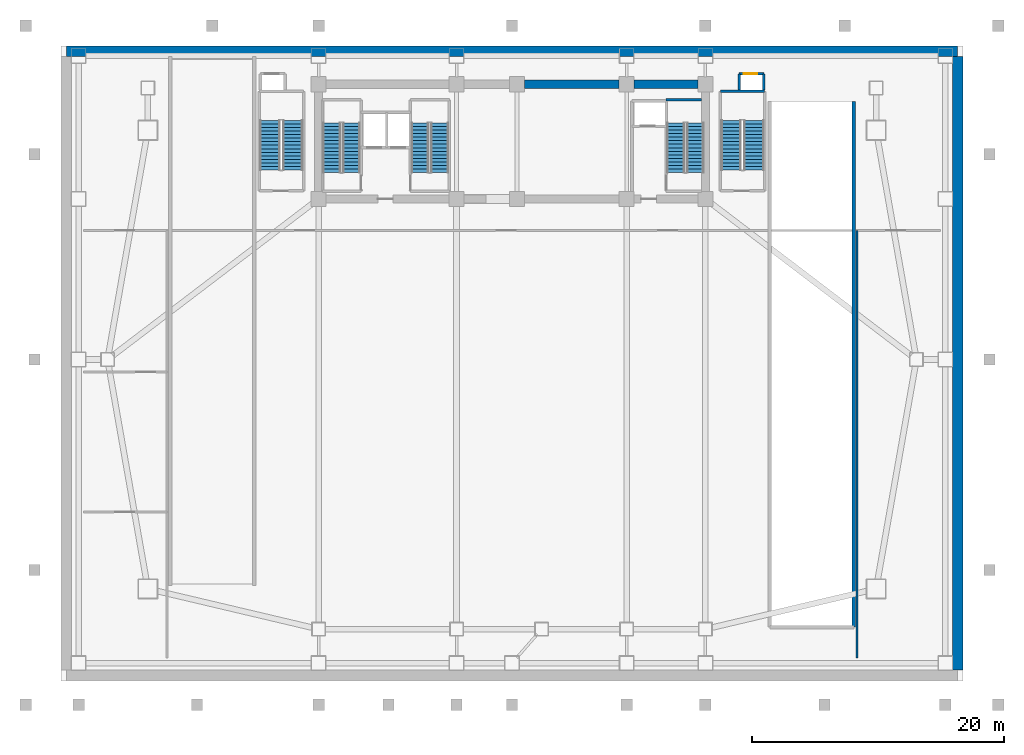
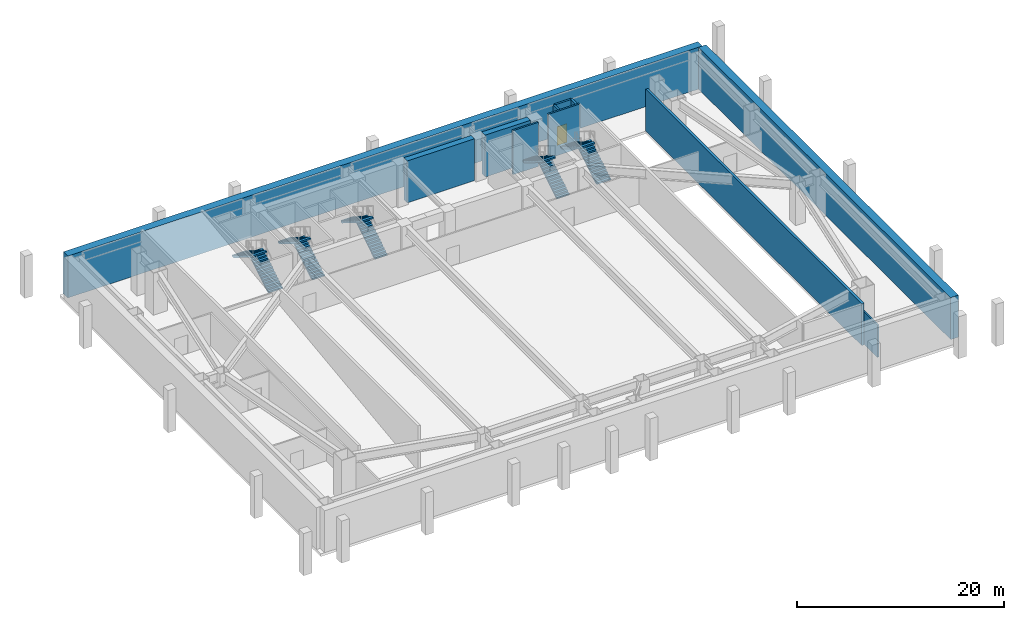
# One storey, part 4 of 6: 11 walls, 10 stair flights, 1 door, 1 opening, 5 elements without a shape of their own.
"""IFC4 building model written with IfcOpenShell, lengths in metres."""

from ifc_helpers import new_model, si_unit, direction, frame, frame_2d, origin, place, context, subcontext, project, spatial, polyline, rectangle, outline, extrude, source, transform, mapped, material, layer, layer_set, type_object, element, fill, aggregate, save


model = new_model("IFC4")

# Units and contexts
model_context = context("Model", 3, precision=1e-05, world=origin(), true_north=direction((0.0, 1.0)))
body_context = subcontext(model_context, "Body", "Model", "MODEL_VIEW")
ifc_project = project(units=[si_unit("LENGTHUNIT", "METRE"), si_unit("AREAUNIT", "SQUARE_METRE"), si_unit("VOLUMEUNIT", "CUBIC_METRE"), si_unit("PLANEANGLEUNIT", "RADIAN"), si_unit("MASSUNIT", "GRAM", prefix="KILO")], contexts=[model_context])

# Site, building, storey
site_placement = place(None, origin())
site = spatial("IfcSite", under=ifc_project, at=site_placement, CompositionType="ELEMENT")
building_placement = place(site_placement, origin())
building = spatial("IfcBuilding", under=site, at=building_placement, Name="Giltprow Tower", CompositionType="ELEMENT")
storey_placement = place(building_placement, frame((0.0, 0.0, -5.199951171875)))
storey = spatial("IfcBuildingStorey", under=building, at=storey_placement, Name="B01", CompositionType="ELEMENT", Elevation=-5.199951171875)

# Wall
ifc_material_1 = material(Name="Gypsum stud partition", Category="gypsum")
ifc_layer_1 = layer(ifc_material_1, 0.159912109375, Name="Gypsum stud partition")
ifc_layer_set_1 = layer_set([ifc_layer_1], Name="Gypsum stud partition")
wall_type_1 = type_object("IfcWallType", Name="IW-DEMISE-160", PredefinedType="PARTITIONING", material=ifc_layer_set_1)
wall_1_placement = place(storey_placement, frame((62.60009765625, 1.0, 0.0), z_axis=(0.0, 0.0, 1.0), x_axis=(0.0, 1.0, 0.0)))
element("IfcWall", 1, at=wall_1_placement, inside=storey, type_object=wall_type_1, Name="B01 East Service Plant Wall", PredefinedType="PARTITIONING", context=body_context, shape_type="SweptSolid", body=[
    extrude(rectangle(XDim=33.949951171875, YDim=0.159912109375, at=frame_2d((16.97509765625, 0.0))), origin(), (0.0, 0.0, 1.0), 3.824951171875),
])

# Wall, opening, door
ifc_material_2 = material(Name="Concrete C40", Category="concrete")
ifc_layer_2 = layer(ifc_material_2, 0.219970703125, Name="Concrete C40")
ifc_layer_set_2 = layer_set([ifc_layer_2], Name="Concrete C40")
wall_type_2 = type_object("IfcWallType", Name="IW-SHAFT-220", PredefinedType="SOLIDWALL", material=ifc_layer_set_2)
wall_2_placement = place(storey_placement, frame((53.22998046875, 47.3798828125, 0.0), z_axis=(0.0, 0.0, 1.0), x_axis=(1.0, 0.0, 0.0)))
wall_2 = element("IfcWall", 2, at=wall_2_placement, inside=storey, type_object=wall_type_2, Name="B01 PL-P2 Front Wall", PredefinedType="SOLIDWALL", context=body_context, shape_type="SweptSolid", body=[
    extrude(rectangle(XDim=1.9599609375, YDim=0.219970703125, at=frame_2d((0.97998046875, 0.0))), origin(), (0.0, 0.0, 1.0), 4.93994140625),
])
opening_placement = place(wall_2_placement, frame((0.35009765625, 0.0, 0.0)))
opening = element("IfcOpeningElement", 3, at=opening_placement, cuts=wall_2, Name="Opening LD-11", PredefinedType="OPENING", context=body_context, shape_type="SweptSolid", body=[
    extrude(rectangle(XDim=1.10009765625, YDim=2.199951171875, at=frame_2d((0.550048828125, 1.10009765625))), frame((0.0, 0.119873046875, 0.0), z_axis=(0.0, -1.0, 0.0), x_axis=(1.0, 0.0, 0.0)), (0.0, 0.0, 1.0), 0.239990234375),
])
ifc_material_3 = material(Name="Stainless steel", Category="steel")
door_type = type_object("IfcDoorType", Name="DR-LIFT-LD1100", OperationType="SLIDING_TO_LEFT", PredefinedType="DOOR", material=ifc_material_3)
shared_shape = source(origin(), body_context, "Body", "SweptSolid", [
    extrude(rectangle(XDim=1.10009765625, YDim=2.199951171875, at=frame_2d((0.550048828125, 1.10009765625))), frame((0.0, 0.02490234375, 0.0), z_axis=(0.0, -1.0, 0.0), x_axis=(1.0, 0.0, 0.0)), (0.0, 0.0, 1.0), 0.050048828125),
])
door_placement = place(opening_placement, origin())
door = element("IfcDoor", 4, at=door_placement, inside=storey, type_object=door_type, Name="B01 PL-P2 Landing Door", OperationType="SLIDING_TO_LEFT", OverallHeight=2.199951171875, OverallWidth=1.10009765625, PredefinedType="DOOR", context=body_context, shape_type="MappedRepresentation", body=[
    mapped(shared_shape, transform((0.0, 0.0, 0.0), x_axis=(1.0, 0.0, 0.0), y_axis=(0.0, 1.0, 0.0), z_axis=(0.0, 0.0, 1.0), scale=1.0)),
])
fill(opening, door)

# Walls
for number, where, z_axis, x_axis, name in (
    (5, (53.22998046875, 46.090087890625, 0.0), (0.0, 0.0, 1.0), (0.0, 1.0, 0.0), "B01 PL-P2 West Shaft Wall"),
    (6, (55.18994140625, 46.090087890625, 0.0), (0.0, 0.0, 1.0), (0.0, 1.0, 0.0), "B01 PL-P2 East Shaft Wall"),
):
    element("IfcWall", number, at=place(storey_placement, frame(where, z_axis=z_axis, x_axis=x_axis)), inside=storey, type_object=wall_type_2, Name=name, PredefinedType="SOLIDWALL", context=body_context, shape_type="SweptSolid", body=[
        extrude(rectangle(XDim=1.289794921875, YDim=0.219970703125, at=frame_2d((0.64501953125, 0.0))), origin(), (0.0, 0.0, 1.0), 4.93994140625),
    ])
ifc_layer_3 = layer(ifc_material_2, 0.199951171875, Name="Concrete C40")
ifc_layer_set_3 = layer_set([ifc_layer_3], Name="Concrete C40")
wall_type_3 = type_object("IfcWallType", Name="IW-STAIR-200", PredefinedType="SOLIDWALL", material=ifc_layer_set_3)
wall_3_placement = place(storey_placement, frame((47.43994140625, 45.320068359375, 0.0), z_axis=(0.0, 0.0, 1.0), x_axis=(1.0, 0.0, 0.0)))
element("IfcWall", 7, at=wall_3_placement, inside=storey, type_object=wall_type_3, Name="B01 Stair ST-3 North Bearing Wall", PredefinedType="SOLIDWALL", context=body_context, shape_type="SweptSolid", body=[
    extrude(rectangle(XDim=2.80517578125, YDim=0.199951171875, at=frame_2d((1.402587890625, 0.0))), origin(), (0.0, 0.0, 1.0), 5.199951171875),
])
wall_4_placement = place(storey_placement, frame((51.739990234375, 45.97998046875, 0.0), z_axis=(0.0, 0.0, 1.0), x_axis=(1.0, 0.0, 0.0)))
element("IfcWall", 8, at=wall_4_placement, inside=storey, type_object=wall_type_3, Name="B01 Podium Stair ST-P2 North Bearing Wall", PredefinedType="SOLIDWALL", context=body_context, shape_type="SweptSolid", body=[
    extrude(rectangle(XDim=3.52001953125, YDim=0.199951171875, at=frame_2d((1.760009765625, 0.0))), origin(), (0.0, 0.0, 1.0), 5.199951171875),
])
ifc_material_4 = material(Name="Concrete C45", Category="concrete")
ifc_layer_4 = layer(ifc_material_4, 0.85009765625, Name="Concrete C45")
ifc_layer_set_4 = layer_set([ifc_layer_4], Name="Concrete C45")
wall_type_4 = type_object("IfcWallType", Name="RW-DIAPHRAGM-850", PredefinedType="USERDEFINED", material=ifc_layer_set_4)
wall_5_placement = place(storey_placement, frame((-0.175048828125, 49.175048828125, 0.0), z_axis=(0.0, 0.0, 1.0), x_axis=(1.0, 0.0, 0.0)))
element("IfcWall", 9, at=wall_5_placement, inside=storey, type_object=wall_type_4, Name="B01 Diaphragm Retaining Wall N", ObjectType="RETAININGWALL", PredefinedType="USERDEFINED", context=body_context, shape_type="SweptSolid", body=[
    extrude(rectangle(XDim=70.75, YDim=0.85009765625, at=frame_2d((35.375, 0.0))), origin(), (0.0, 0.0, 1.0), 4.93994140625),
])
wall_6_placement = place(storey_placement, frame((70.574951171875, 0.050048828125, 0.0), z_axis=(0.0, 0.0, 1.0), x_axis=(0.0, 1.0, 0.0)))
element("IfcWall", 10, at=wall_6_placement, inside=storey, type_object=wall_type_4, Name="B01 Diaphragm Retaining Wall E", ObjectType="RETAININGWALL", PredefinedType="USERDEFINED", context=body_context, shape_type="SweptSolid", body=[
    extrude(rectangle(XDim=48.699951171875, YDim=0.85009765625, at=frame_2d((24.35009765625, 0.0))), origin(), (0.0, 0.0, 1.0), 4.93994140625),
])
ifc_material_5 = material(Name="Concrete C60", Category="concrete")
ifc_layer_5 = layer(ifc_material_5, 0.64990234375, Name="Concrete C60")
ifc_layer_set_5 = layer_set([ifc_layer_5], Name="Concrete C60")
wall_type_5 = type_object("IfcWallType", Name="SW-INT-650-C60", PredefinedType="SHEAR", material=ifc_layer_set_5)
wall_7_placement = place(storey_placement, frame((36.199951171875, 46.550048828125, 0.0), z_axis=(0.0, 0.0, 1.0), x_axis=(1.0, 0.0, 0.0)))
element("IfcWall", 11, at=wall_7_placement, inside=storey, type_object=wall_type_5, Name="B01 North Rear Core Shear Wall 3", PredefinedType="SHEAR", context=body_context, shape_type="SweptSolid", body=[
    extrude(rectangle(XDim=7.5, YDim=0.64990234375, at=frame_2d((3.75, 0.0))), origin(), (0.0, 0.0, 1.0), 4.93994140625),
])
wall_8_placement = place(storey_placement, frame((44.89990234375, 46.550048828125, 0.0), z_axis=(0.0, 0.0, 1.0), x_axis=(1.0, 0.0, 0.0)))
element("IfcWall", 12, at=wall_8_placement, inside=storey, type_object=wall_type_5, Name="B01 North Rear Core Shear Wall 4", PredefinedType="SHEAR", context=body_context, shape_type="SweptSolid", body=[
    extrude(rectangle(XDim=5.050048828125, YDim=0.64990234375, at=frame_2d((2.52490234375, 0.0))), origin(), (0.0, 0.0, 1.0), 4.93994140625),
])
ifc_layer_6 = layer(ifc_material_2, 0.280029296875, Name="Concrete C40")
ifc_layer_set_6 = layer_set([ifc_layer_6], Name="Concrete C40")
wall_type_6 = type_object("IfcWallType", Name="WL-RAMP-SHAFT-280", PredefinedType="SOLIDWALL", material=ifc_layer_set_6)
wall_9_placement = place(storey_placement, frame((62.340087890625, 3.4599609375, 0.0), z_axis=(0.0, 0.0, 1.0), x_axis=(0.0, 1.0, 0.0)))
element("IfcWall", 13, at=wall_9_placement, inside=storey, type_object=wall_type_6, Name="B01 East Ramp Bearing Wall E", PredefinedType="SOLIDWALL", context=body_context, shape_type="SweptSolid", body=[
    extrude(rectangle(XDim=41.739990234375, YDim=0.280029296875, at=frame_2d((20.8701171875, 0.0))), origin(), (0.0, 0.0, 1.0), 4.93994140625),
])

# Stair, stair flights
stair_type_1 = type_object("IfcStairType", Name="STR-ST-1", PredefinedType="HALF_TURN_STAIR", material=ifc_material_2)
stair_1_placement = place(storey_placement, origin())
stair_1 = element("IfcStair", 14, at=stair_1_placement, inside=storey, type_object=stair_type_1, Name="B01 Core Exit Stair ST-1", PredefinedType="HALF_TURN_STAIR")
stair_flight_type_1 = type_object("IfcStairFlightType", Name="SFL-ST-1", PredefinedType="STRAIGHT", material=ifc_material_2)
stair_flight_1_placement = place(storey_placement, frame((22.4599609375, 39.550048828125, 0.0), z_axis=(0.0, 0.0, 1.0), x_axis=(0.0, 1.0, 0.0)))
stair_flight_1 = element("IfcStairFlight", 15, at=stair_flight_1_placement, type_object=stair_flight_type_1, Name="ST-1 flight 1", NumberOfRisers=15, NumberOfTreads=14, PredefinedType="STRAIGHT", RiserHeight=0.173333333, TreadLength=0.28, context=body_context, shape_type="SweptSolid", body=[
    extrude(outline(polyline([(0.0, 0.0), (0.0, 0.17333984375), (0.280029296875, 0.17333984375), (0.280029296875, 0.3466796875), (0.56005859375, 0.3466796875), (0.56005859375, 0.52001953125), (0.840087890625, 0.52001953125), (0.840087890625, 0.693359375), (1.1201171875, 0.693359375), (1.1201171875, 0.86669921875), (1.39990234375, 0.86669921875), (1.39990234375, 1.0400390625), (1.679931640625, 1.0400390625), (1.679931640625, 1.21337890625), (1.9599609375, 1.21337890625), (1.9599609375, 1.38671875), (2.239990234375, 1.38671875), (2.239990234375, 1.56005859375), (2.52001953125, 1.56005859375), (2.52001953125, 1.7333984375), (2.800048828125, 1.7333984375), (2.800048828125, 1.90673828125), (3.080078125, 1.90673828125), (3.080078125, 2.080078125), (3.360107421875, 2.080078125), (3.360107421875, 2.25341796875), (3.639892578125, 2.25341796875), (3.639892578125, 2.4267578125), (3.919921875, 2.4267578125), (3.919921875, 2.60009765625), (3.919921875, 2.250244140625), (0.284912109375, 0.0), (0.0, 0.0)])), frame((0.0, 0.699951171875, 0.0), z_axis=(0.0, -1.0, 0.0), x_axis=(1.0, 0.0, 0.0)), (0.0, 0.0, 1.0), 1.39990234375),
])
stair_flight_2_placement = place(storey_placement, frame((20.89990234375, 43.469970703125, 2.599853515625), z_axis=(0.0, 0.0, 1.0), x_axis=(0.0, -1.0, 0.0)))
stair_flight_2 = element("IfcStairFlight", 16, at=stair_flight_2_placement, type_object=stair_flight_type_1, Name="ST-1 flight 2", NumberOfRisers=15, NumberOfTreads=14, PredefinedType="STRAIGHT", RiserHeight=0.173333333, TreadLength=0.28, context=body_context, shape_type="SweptSolid", body=[
    extrude(outline(polyline([(0.0, 0.0), (0.0, 0.17333984375), (0.280029296875, 0.17333984375), (0.280029296875, 0.3466796875), (0.56005859375, 0.3466796875), (0.56005859375, 0.52001953125), (0.840087890625, 0.52001953125), (0.840087890625, 0.693359375), (1.1201171875, 0.693359375), (1.1201171875, 0.86669921875), (1.39990234375, 0.86669921875), (1.39990234375, 1.0400390625), (1.679931640625, 1.0400390625), (1.679931640625, 1.21337890625), (1.9599609375, 1.21337890625), (1.9599609375, 1.38671875), (2.239990234375, 1.38671875), (2.239990234375, 1.56005859375), (2.52001953125, 1.56005859375), (2.52001953125, 1.7333984375), (2.800048828125, 1.7333984375), (2.800048828125, 1.90673828125), (3.080078125, 1.90673828125), (3.080078125, 2.080078125), (3.360107421875, 2.080078125), (3.360107421875, 2.25341796875), (3.639892578125, 2.25341796875), (3.639892578125, 2.4267578125), (3.919921875, 2.4267578125), (3.919921875, 2.60009765625), (3.919921875, 2.250244140625), (0.284912109375, 0.0), (0.0, 0.0)])), frame((0.0, 0.699951171875, 0.0), z_axis=(0.0, -1.0, 0.0), x_axis=(1.0, 0.0, 0.0)), (0.0, 0.0, 1.0), 1.39990234375),
])
aggregate(stair_1, [stair_flight_1, stair_flight_2])

stair_type_2 = type_object("IfcStairType", Name="STR-ST-2", PredefinedType="HALF_TURN_STAIR", material=ifc_material_2)
stair_2_placement = place(storey_placement, origin())
stair_2 = element("IfcStair", 17, at=stair_2_placement, inside=storey, type_object=stair_type_2, Name="B01 Core Exit Stair ST-2", PredefinedType="HALF_TURN_STAIR")
stair_flight_type_2 = type_object("IfcStairFlightType", Name="SFL-ST-2", PredefinedType="STRAIGHT", material=ifc_material_2)
stair_flight_3_placement = place(storey_placement, frame((29.4599609375, 39.550048828125, 0.0), z_axis=(0.0, 0.0, 1.0), x_axis=(0.0, 1.0, 0.0)))
stair_flight_3 = element("IfcStairFlight", 18, at=stair_flight_3_placement, type_object=stair_flight_type_2, Name="ST-2 flight 1", NumberOfRisers=15, NumberOfTreads=14, PredefinedType="STRAIGHT", RiserHeight=0.173333333, TreadLength=0.28, context=body_context, shape_type="SweptSolid", body=[
    extrude(outline(polyline([(0.0, 0.0), (0.0, 0.17333984375), (0.280029296875, 0.17333984375), (0.280029296875, 0.3466796875), (0.56005859375, 0.3466796875), (0.56005859375, 0.52001953125), (0.840087890625, 0.52001953125), (0.840087890625, 0.693359375), (1.1201171875, 0.693359375), (1.1201171875, 0.86669921875), (1.39990234375, 0.86669921875), (1.39990234375, 1.0400390625), (1.679931640625, 1.0400390625), (1.679931640625, 1.21337890625), (1.9599609375, 1.21337890625), (1.9599609375, 1.38671875), (2.239990234375, 1.38671875), (2.239990234375, 1.56005859375), (2.52001953125, 1.56005859375), (2.52001953125, 1.7333984375), (2.800048828125, 1.7333984375), (2.800048828125, 1.90673828125), (3.080078125, 1.90673828125), (3.080078125, 2.080078125), (3.360107421875, 2.080078125), (3.360107421875, 2.25341796875), (3.639892578125, 2.25341796875), (3.639892578125, 2.4267578125), (3.919921875, 2.4267578125), (3.919921875, 2.60009765625), (3.919921875, 2.250244140625), (0.284912109375, 0.0), (0.0, 0.0)])), frame((0.0, 0.699951171875, 0.0), z_axis=(0.0, -1.0, 0.0), x_axis=(1.0, 0.0, 0.0)), (0.0, 0.0, 1.0), 1.39990234375),
])
stair_flight_4_placement = place(storey_placement, frame((27.89990234375, 43.469970703125, 2.599853515625), z_axis=(0.0, 0.0, 1.0), x_axis=(0.0, -1.0, 0.0)))
stair_flight_4 = element("IfcStairFlight", 19, at=stair_flight_4_placement, type_object=stair_flight_type_2, Name="ST-2 flight 2", NumberOfRisers=15, NumberOfTreads=14, PredefinedType="STRAIGHT", RiserHeight=0.173333333, TreadLength=0.28, context=body_context, shape_type="SweptSolid", body=[
    extrude(outline(polyline([(0.0, 0.0), (0.0, 0.17333984375), (0.280029296875, 0.17333984375), (0.280029296875, 0.3466796875), (0.56005859375, 0.3466796875), (0.56005859375, 0.52001953125), (0.840087890625, 0.52001953125), (0.840087890625, 0.693359375), (1.1201171875, 0.693359375), (1.1201171875, 0.86669921875), (1.39990234375, 0.86669921875), (1.39990234375, 1.0400390625), (1.679931640625, 1.0400390625), (1.679931640625, 1.21337890625), (1.9599609375, 1.21337890625), (1.9599609375, 1.38671875), (2.239990234375, 1.38671875), (2.239990234375, 1.56005859375), (2.52001953125, 1.56005859375), (2.52001953125, 1.7333984375), (2.800048828125, 1.7333984375), (2.800048828125, 1.90673828125), (3.080078125, 1.90673828125), (3.080078125, 2.080078125), (3.360107421875, 2.080078125), (3.360107421875, 2.25341796875), (3.639892578125, 2.25341796875), (3.639892578125, 2.4267578125), (3.919921875, 2.4267578125), (3.919921875, 2.60009765625), (3.919921875, 2.250244140625), (0.284912109375, 0.0), (0.0, 0.0)])), frame((0.0, 0.699951171875, 0.0), z_axis=(0.0, -1.0, 0.0), x_axis=(1.0, 0.0, 0.0)), (0.0, 0.0, 1.0), 1.39990234375),
])
aggregate(stair_2, [stair_flight_3, stair_flight_4])

stair_type_3 = type_object("IfcStairType", Name="STR-ST-3", PredefinedType="HALF_TURN_STAIR", material=ifc_material_2)
stair_3_placement = place(storey_placement, origin())
stair_3 = element("IfcStair", 20, at=stair_3_placement, inside=storey, type_object=stair_type_3, Name="B01 Core Exit Stair ST-3", PredefinedType="HALF_TURN_STAIR")
stair_flight_type_3 = type_object("IfcStairFlightType", Name="SFL-ST-3", PredefinedType="STRAIGHT", material=ifc_material_2)
stair_flight_5_placement = place(storey_placement, frame((49.760009765625, 39.550048828125, 0.0), z_axis=(0.0, 0.0, 1.0), x_axis=(0.0, 1.0, 0.0)))
stair_flight_5 = element("IfcStairFlight", 21, at=stair_flight_5_placement, type_object=stair_flight_type_3, Name="ST-3 flight 1", NumberOfRisers=15, NumberOfTreads=14, PredefinedType="STRAIGHT", RiserHeight=0.173333333, TreadLength=0.28, context=body_context, shape_type="SweptSolid", body=[
    extrude(outline(polyline([(0.0, 0.0), (0.0, 0.17333984375), (0.280029296875, 0.17333984375), (0.280029296875, 0.3466796875), (0.56005859375, 0.3466796875), (0.56005859375, 0.52001953125), (0.840087890625, 0.52001953125), (0.840087890625, 0.693359375), (1.1201171875, 0.693359375), (1.1201171875, 0.86669921875), (1.39990234375, 0.86669921875), (1.39990234375, 1.0400390625), (1.679931640625, 1.0400390625), (1.679931640625, 1.21337890625), (1.9599609375, 1.21337890625), (1.9599609375, 1.38671875), (2.239990234375, 1.38671875), (2.239990234375, 1.56005859375), (2.52001953125, 1.56005859375), (2.52001953125, 1.7333984375), (2.800048828125, 1.7333984375), (2.800048828125, 1.90673828125), (3.080078125, 1.90673828125), (3.080078125, 2.080078125), (3.360107421875, 2.080078125), (3.360107421875, 2.25341796875), (3.639892578125, 2.25341796875), (3.639892578125, 2.4267578125), (3.919921875, 2.4267578125), (3.919921875, 2.60009765625), (3.919921875, 2.250244140625), (0.284912109375, 0.0), (0.0, 0.0)])), frame((0.0, 0.699951171875, 0.0), z_axis=(0.0, -1.0, 0.0), x_axis=(1.0, 0.0, 0.0)), (0.0, 0.0, 1.0), 1.39990234375),
])
stair_flight_6_placement = place(storey_placement, frame((48.199951171875, 43.469970703125, 2.599853515625), z_axis=(0.0, 0.0, 1.0), x_axis=(0.0, -1.0, 0.0)))
stair_flight_6 = element("IfcStairFlight", 22, at=stair_flight_6_placement, type_object=stair_flight_type_3, Name="ST-3 flight 2", NumberOfRisers=15, NumberOfTreads=14, PredefinedType="STRAIGHT", RiserHeight=0.173333333, TreadLength=0.28, context=body_context, shape_type="SweptSolid", body=[
    extrude(outline(polyline([(0.0, 0.0), (0.0, 0.17333984375), (0.280029296875, 0.17333984375), (0.280029296875, 0.3466796875), (0.56005859375, 0.3466796875), (0.56005859375, 0.52001953125), (0.840087890625, 0.52001953125), (0.840087890625, 0.693359375), (1.1201171875, 0.693359375), (1.1201171875, 0.86669921875), (1.39990234375, 0.86669921875), (1.39990234375, 1.0400390625), (1.679931640625, 1.0400390625), (1.679931640625, 1.21337890625), (1.9599609375, 1.21337890625), (1.9599609375, 1.38671875), (2.239990234375, 1.38671875), (2.239990234375, 1.56005859375), (2.52001953125, 1.56005859375), (2.52001953125, 1.7333984375), (2.800048828125, 1.7333984375), (2.800048828125, 1.90673828125), (3.080078125, 1.90673828125), (3.080078125, 2.080078125), (3.360107421875, 2.080078125), (3.360107421875, 2.25341796875), (3.639892578125, 2.25341796875), (3.639892578125, 2.4267578125), (3.919921875, 2.4267578125), (3.919921875, 2.60009765625), (3.919921875, 2.250244140625), (0.284912109375, 0.0), (0.0, 0.0)])), frame((0.0, 0.699951171875, 0.0), z_axis=(0.0, -1.0, 0.0), x_axis=(1.0, 0.0, 0.0)), (0.0, 0.0, 1.0), 1.39990234375),
])
aggregate(stair_3, [stair_flight_5, stair_flight_6])

stair_type_4 = type_object("IfcStairType", Name="STR-ST-P1", PredefinedType="HALF_TURN_STAIR", material=ifc_material_2)
stair_4_placement = place(storey_placement, origin())
stair_4 = element("IfcStair", 23, at=stair_4_placement, inside=storey, type_object=stair_type_4, Name="B01 Podium Exit Stair ST-P1", PredefinedType="HALF_TURN_STAIR")
stair_flight_type_4 = type_object("IfcStairFlightType", Name="SFL-ST-P1", PredefinedType="STRAIGHT", material=ifc_material_2)
stair_flight_7_placement = place(storey_placement, frame((17.800048828125, 39.75, 0.0), z_axis=(0.0, 0.0, 1.0), x_axis=(0.0, 1.0, 0.0)))
stair_flight_7 = element("IfcStairFlight", 24, at=stair_flight_7_placement, type_object=stair_flight_type_4, Name="ST-P1 flight 1", NumberOfRisers=15, NumberOfTreads=14, PredefinedType="STRAIGHT", RiserHeight=0.173333333, TreadLength=0.28, context=body_context, shape_type="SweptSolid", body=[
    extrude(outline(polyline([(0.0, 0.0), (0.0, 0.17333984375), (0.280029296875, 0.17333984375), (0.280029296875, 0.3466796875), (0.56005859375, 0.3466796875), (0.56005859375, 0.52001953125), (0.840087890625, 0.52001953125), (0.840087890625, 0.693359375), (1.1201171875, 0.693359375), (1.1201171875, 0.86669921875), (1.39990234375, 0.86669921875), (1.39990234375, 1.0400390625), (1.679931640625, 1.0400390625), (1.679931640625, 1.21337890625), (1.9599609375, 1.21337890625), (1.9599609375, 1.38671875), (2.239990234375, 1.38671875), (2.239990234375, 1.56005859375), (2.52001953125, 1.56005859375), (2.52001953125, 1.7333984375), (2.800048828125, 1.7333984375), (2.800048828125, 1.90673828125), (3.080078125, 1.90673828125), (3.080078125, 2.080078125), (3.360107421875, 2.080078125), (3.360107421875, 2.25341796875), (3.639892578125, 2.25341796875), (3.639892578125, 2.4267578125), (3.919921875, 2.4267578125), (3.919921875, 2.60009765625), (3.919921875, 2.250244140625), (0.284912109375, 0.0), (0.0, 0.0)])), frame((0.0, 0.800048828125, 0.0), z_axis=(0.0, -1.0, 0.0), x_axis=(1.0, 0.0, 0.0)), (0.0, 0.0, 1.0), 1.60009765625),
])
stair_flight_8_placement = place(storey_placement, frame((16.0, 43.669921875, 2.599853515625), z_axis=(0.0, 0.0, 1.0), x_axis=(0.0, -1.0, 0.0)))
stair_flight_8 = element("IfcStairFlight", 25, at=stair_flight_8_placement, type_object=stair_flight_type_4, Name="ST-P1 flight 2", NumberOfRisers=15, NumberOfTreads=14, PredefinedType="STRAIGHT", RiserHeight=0.173333333, TreadLength=0.28, context=body_context, shape_type="SweptSolid", body=[
    extrude(outline(polyline([(0.0, 0.0), (0.0, 0.17333984375), (0.280029296875, 0.17333984375), (0.280029296875, 0.3466796875), (0.56005859375, 0.3466796875), (0.56005859375, 0.52001953125), (0.840087890625, 0.52001953125), (0.840087890625, 0.693359375), (1.1201171875, 0.693359375), (1.1201171875, 0.86669921875), (1.39990234375, 0.86669921875), (1.39990234375, 1.0400390625), (1.679931640625, 1.0400390625), (1.679931640625, 1.21337890625), (1.9599609375, 1.21337890625), (1.9599609375, 1.38671875), (2.239990234375, 1.38671875), (2.239990234375, 1.56005859375), (2.52001953125, 1.56005859375), (2.52001953125, 1.7333984375), (2.800048828125, 1.7333984375), (2.800048828125, 1.90673828125), (3.080078125, 1.90673828125), (3.080078125, 2.080078125), (3.360107421875, 2.080078125), (3.360107421875, 2.25341796875), (3.639892578125, 2.25341796875), (3.639892578125, 2.4267578125), (3.919921875, 2.4267578125), (3.919921875, 2.60009765625), (3.919921875, 2.250244140625), (0.284912109375, 0.0), (0.0, 0.0)])), frame((0.0, 0.800048828125, 0.0), z_axis=(0.0, -1.0, 0.0), x_axis=(1.0, 0.0, 0.0)), (0.0, 0.0, 1.0), 1.60009765625),
])
aggregate(stair_4, [stair_flight_7, stair_flight_8])

stair_type_5 = type_object("IfcStairType", Name="STR-ST-P2", PredefinedType="HALF_TURN_STAIR", material=ifc_material_2)
stair_5_placement = place(storey_placement, origin())
stair_5 = element("IfcStair", 26, at=stair_5_placement, inside=storey, type_object=stair_type_5, Name="B01 Podium Exit Stair ST-P2", PredefinedType="HALF_TURN_STAIR")
stair_flight_type_5 = type_object("IfcStairFlightType", Name="SFL-ST-P2", PredefinedType="STRAIGHT", material=ifc_material_2)
stair_flight_9_placement = place(storey_placement, frame((54.39990234375, 39.75, 0.0), z_axis=(0.0, 0.0, 1.0), x_axis=(0.0, 1.0, 0.0)))
stair_flight_9 = element("IfcStairFlight", 27, at=stair_flight_9_placement, type_object=stair_flight_type_5, Name="ST-P2 flight 1", NumberOfRisers=15, NumberOfTreads=14, PredefinedType="STRAIGHT", RiserHeight=0.173333333, TreadLength=0.28, context=body_context, shape_type="SweptSolid", body=[
    extrude(outline(polyline([(0.0, 0.0), (0.0, 0.17333984375), (0.280029296875, 0.17333984375), (0.280029296875, 0.3466796875), (0.56005859375, 0.3466796875), (0.56005859375, 0.52001953125), (0.840087890625, 0.52001953125), (0.840087890625, 0.693359375), (1.1201171875, 0.693359375), (1.1201171875, 0.86669921875), (1.39990234375, 0.86669921875), (1.39990234375, 1.0400390625), (1.679931640625, 1.0400390625), (1.679931640625, 1.21337890625), (1.9599609375, 1.21337890625), (1.9599609375, 1.38671875), (2.239990234375, 1.38671875), (2.239990234375, 1.56005859375), (2.52001953125, 1.56005859375), (2.52001953125, 1.7333984375), (2.800048828125, 1.7333984375), (2.800048828125, 1.90673828125), (3.080078125, 1.90673828125), (3.080078125, 2.080078125), (3.360107421875, 2.080078125), (3.360107421875, 2.25341796875), (3.639892578125, 2.25341796875), (3.639892578125, 2.4267578125), (3.919921875, 2.4267578125), (3.919921875, 2.60009765625), (3.919921875, 2.250244140625), (0.284912109375, 0.0), (0.0, 0.0)])), frame((0.0, 0.800048828125, 0.0), z_axis=(0.0, -1.0, 0.0), x_axis=(1.0, 0.0, 0.0)), (0.0, 0.0, 1.0), 1.60009765625),
])
stair_flight_10_placement = place(storey_placement, frame((52.60009765625, 43.669921875, 2.599853515625), z_axis=(0.0, 0.0, 1.0), x_axis=(0.0, -1.0, 0.0)))
stair_flight_10 = element("IfcStairFlight", 28, at=stair_flight_10_placement, type_object=stair_flight_type_5, Name="ST-P2 flight 2", NumberOfRisers=15, NumberOfTreads=14, PredefinedType="STRAIGHT", RiserHeight=0.173333333, TreadLength=0.28, context=body_context, shape_type="SweptSolid", body=[
    extrude(outline(polyline([(0.0, 0.0), (0.0, 0.17333984375), (0.280029296875, 0.17333984375), (0.280029296875, 0.3466796875), (0.56005859375, 0.3466796875), (0.56005859375, 0.52001953125), (0.840087890625, 0.52001953125), (0.840087890625, 0.693359375), (1.1201171875, 0.693359375), (1.1201171875, 0.86669921875), (1.39990234375, 0.86669921875), (1.39990234375, 1.0400390625), (1.679931640625, 1.0400390625), (1.679931640625, 1.21337890625), (1.9599609375, 1.21337890625), (1.9599609375, 1.38671875), (2.239990234375, 1.38671875), (2.239990234375, 1.56005859375), (2.52001953125, 1.56005859375), (2.52001953125, 1.7333984375), (2.800048828125, 1.7333984375), (2.800048828125, 1.90673828125), (3.080078125, 1.90673828125), (3.080078125, 2.080078125), (3.360107421875, 2.080078125), (3.360107421875, 2.25341796875), (3.639892578125, 2.25341796875), (3.639892578125, 2.4267578125), (3.919921875, 2.4267578125), (3.919921875, 2.60009765625), (3.919921875, 2.250244140625), (0.284912109375, 0.0), (0.0, 0.0)])), frame((0.0, 0.800048828125, 0.0), z_axis=(0.0, -1.0, 0.0), x_axis=(1.0, 0.0, 0.0)), (0.0, 0.0, 1.0), 1.60009765625),
])
aggregate(stair_5, [stair_flight_9, stair_flight_10])

save(model, "model.ifc")
